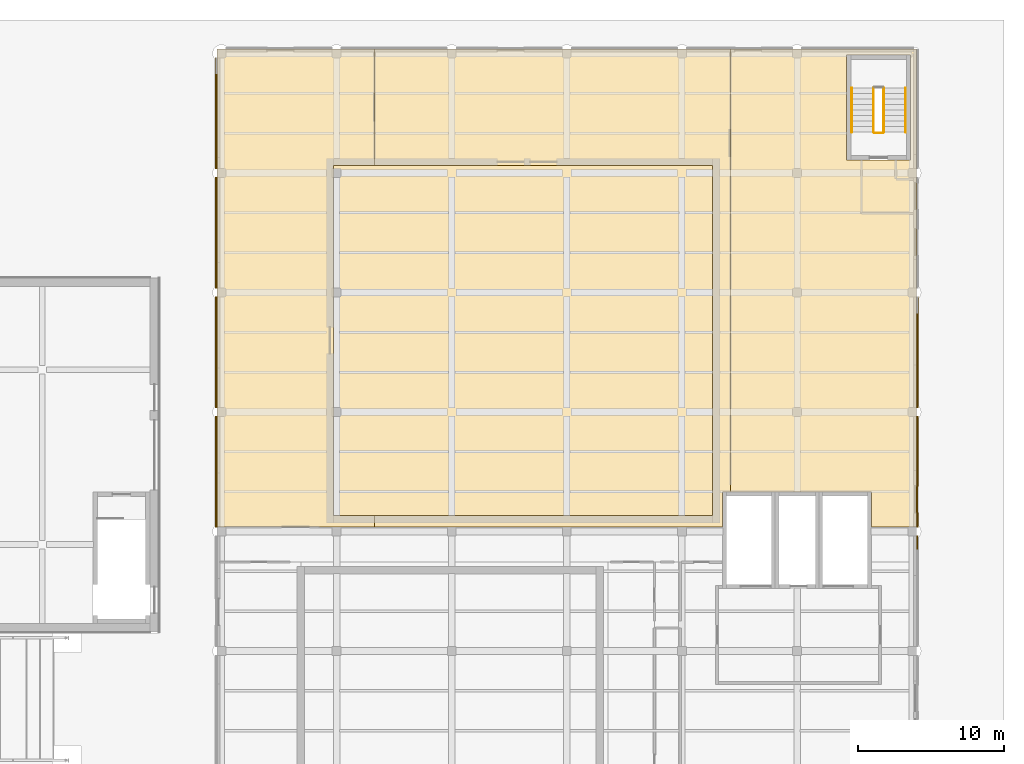
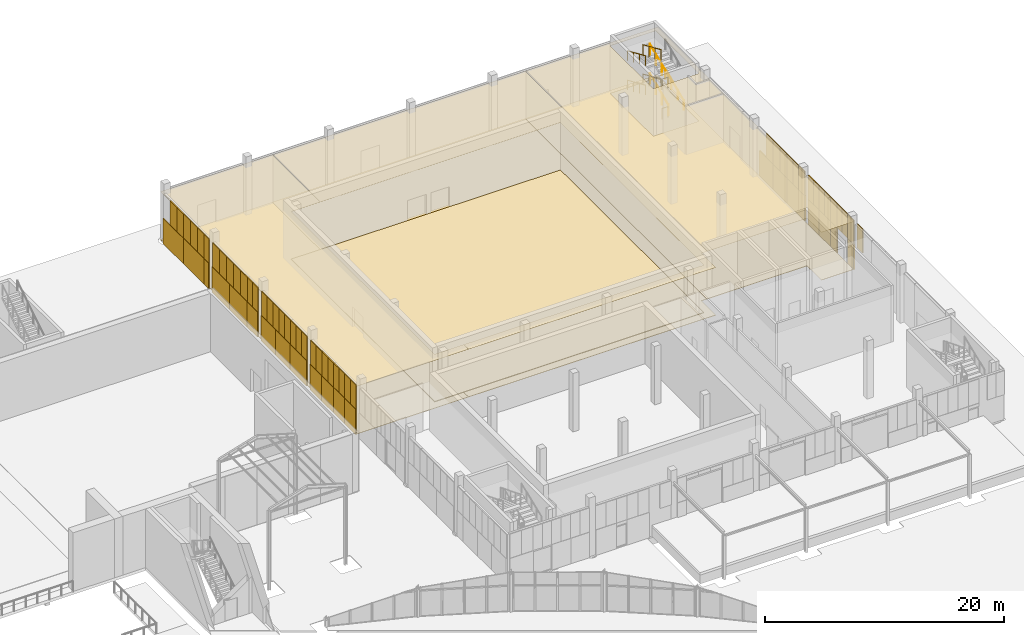
# One storey, part 150 of 155: 71 coverings, 9 railings.
"""IFC4 building model written with IfcOpenShell, lengths in metres."""

from ifc_helpers import new_model, si_unit, direction, frame, origin, origin_2d, place, context, subcontext, project, spatial, polyline, rectangle, circle, outline, extrude, material, layer, layer_set, type_object, element, save


model = new_model("IFC4")

# Units and contexts
model_context = context("Model", 3, precision=1e-05, world=origin(), true_north=direction((0.0, 1.0)))
body_context = subcontext(model_context, "Body", "Model", "MODEL_VIEW")
ifc_project = project(units=[si_unit("LENGTHUNIT", "METRE"), si_unit("AREAUNIT", "SQUARE_METRE"), si_unit("VOLUMEUNIT", "CUBIC_METRE"), si_unit("PLANEANGLEUNIT", "RADIAN"), si_unit("MASSUNIT", "GRAM", prefix="KILO")], contexts=[model_context])

# Site, building, storey
site_placement = place(None, origin())
site = spatial("IfcSite", under=ifc_project, at=site_placement, CompositionType="ELEMENT")
building_placement = place(site_placement, origin())
building = spatial("IfcBuilding", under=site, at=building_placement, Name="Lunette Opera House", CompositionType="ELEMENT")
storey_placement = place(building_placement, origin())
storey = spatial("IfcBuildingStorey", under=building, at=storey_placement, Name="L00", CompositionType="ELEMENT", Elevation=0.0)

# Coverings
ifc_material_1 = material(Name="Clinker brick", Category="masonry")
ifc_layer_1 = layer(ifc_material_1, 0.114990234375)
ifc_layer_set_1 = layer_set([ifc_layer_1], Name="Clinker brick")
covering_type_1 = type_object("IfcCoveringType", Name="CLINKER CLADDING 115", PredefinedType="CLADDING", material=ifc_layer_set_1)
for number, where, z_axis, x_axis, name in (
    (1, (135.94189453125, 133.694091796875, 0.0), (0.0, 0.0, 1.0), (0.0, -1.0, 0.0), "Clinker Cladding 115 WB L00"),
    (2, (135.94189453125, 130.281005859375, 0.0), (0.0, 0.0, 1.0), (0.0, -1.0, 0.0), "Clinker Cladding 115 WB L00"),
):
    element("IfcCovering", number, at=place(storey_placement, frame(where, z_axis=z_axis, x_axis=x_axis)), inside=storey, type_object=covering_type_1, Name=name, PredefinedType="CLADDING", context=body_context, shape_type="SweptSolid", body=[
        extrude(rectangle(XDim=3.4130859375, YDim=0.114990234375, at=origin_2d()), origin(), (0.0, 0.0, 1.0), 2.60009765625),
    ])
covering_1_placement = place(storey_placement, frame((135.94189453125, 128.18798828125, 0.0), z_axis=(0.0, 0.0, 1.0), x_axis=(0.0, -1.0, 0.0)))
element("IfcCovering", 3, at=covering_1_placement, inside=storey, type_object=covering_type_1, Name="Clinker Cladding 115 WB L00", PredefinedType="CLADDING", context=body_context, shape_type="SweptSolid", body=[
    extrude(rectangle(XDim=0.77490234375, YDim=0.114990234375, at=origin_2d()), origin(), (0.0, 0.0, 1.0), 2.60009765625),
])
for number, where, z_axis, x_axis, name in (
    (4, (135.94189453125, 125.737060546875, 0.0), (0.0, 0.0, 1.0), (0.0, -1.0, 0.0), "Clinker Cladding 115 WB L00"),
    (5, (135.94189453125, 122.81201171875, 0.0), (0.0, 0.0, 1.0), (0.0, -1.0, 0.0), "Clinker Cladding 115 WB L00"),
):
    element("IfcCovering", number, at=place(storey_placement, frame(where, z_axis=z_axis, x_axis=x_axis)), inside=storey, type_object=covering_type_1, Name=name, PredefinedType="CLADDING", context=body_context, shape_type="SweptSolid", body=[
        extrude(rectangle(XDim=2.925048828125, YDim=0.114990234375, at=origin_2d()), origin(), (0.0, 0.0, 1.0), 2.60009765625),
    ])
covering_2_placement = place(storey_placement, frame((135.94189453125, 120.47509765625, 0.0), z_axis=(0.0, 0.0, 1.0), x_axis=(0.0, -1.0, 0.0)))
element("IfcCovering", 6, at=covering_2_placement, inside=storey, type_object=covering_type_1, Name="Clinker Cladding 115 WB L00", PredefinedType="CLADDING", context=body_context, shape_type="SweptSolid", body=[
    extrude(rectangle(XDim=1.75, YDim=0.114990234375, at=origin_2d()), origin(), (0.0, 0.0, 1.0), 2.60009765625),
])
for number, where, z_axis, x_axis, name in (
    (7, (135.94189453125, 117.781005859375, 0.0), (0.0, 0.0, 1.0), (0.0, -1.0, 0.0), "Clinker Cladding 115 WB L00"),
    (8, (135.94189453125, 115.343994140625, 0.0), (0.0, 0.0, 1.0), (0.0, -1.0, 0.0), "Clinker Cladding 115 WB L00"),
):
    element("IfcCovering", number, at=place(storey_placement, frame(where, z_axis=z_axis, x_axis=x_axis)), inside=storey, type_object=covering_type_1, Name=name, PredefinedType="CLADDING", context=body_context, shape_type="SweptSolid", body=[
        extrude(rectangle(XDim=2.43798828125, YDim=0.114990234375, at=origin_2d()), origin(), (0.0, 0.0, 1.0), 2.60009765625),
    ])
covering_3_placement = place(storey_placement, frame((135.94189453125, 112.762939453125, 0.0), z_axis=(0.0, 0.0, 1.0), x_axis=(0.0, -1.0, 0.0)))
element("IfcCovering", 9, at=covering_3_placement, inside=storey, type_object=covering_type_1, Name="Clinker Cladding 115 WB L00", PredefinedType="CLADDING", context=body_context, shape_type="SweptSolid", body=[
    extrude(rectangle(XDim=2.72509765625, YDim=0.114990234375, at=origin_2d()), origin(), (0.0, 0.0, 1.0), 2.60009765625),
])
for number, where, z_axis, x_axis, name in (
    (10, (135.94189453125, 109.824951171875, 0.0), (0.0, 0.0, 1.0), (0.0, -1.0, 0.0), "Clinker Cladding 115 WB L00"),
    (11, (135.94189453125, 107.875, 0.0), (0.0, 0.0, 1.0), (0.0, -1.0, 0.0), "Clinker Cladding 115 WB L00"),
):
    element("IfcCovering", number, at=place(storey_placement, frame(where, z_axis=z_axis, x_axis=x_axis)), inside=storey, type_object=covering_type_1, Name=name, PredefinedType="CLADDING", context=body_context, shape_type="SweptSolid", body=[
        extrude(rectangle(XDim=1.949951171875, YDim=0.114990234375, at=origin_2d()), origin(), (0.0, 0.0, 1.0), 2.60009765625),
    ])
for number, where, z_axis, x_axis, name in (
    (12, (135.94189453125, 105.97509765625, 0.0), (0.0, 0.0, 1.0), (0.0, -1.0, 0.0), "Clinker Cladding 115 WB L00"),
    (13, (135.94189453125, 104.125, 0.0), (0.0, 0.0, 1.0), (0.0, -1.0, 0.0), "Clinker Cladding 115 WB L00"),
):
    element("IfcCovering", number, at=place(storey_placement, frame(where, z_axis=z_axis, x_axis=x_axis)), inside=storey, type_object=covering_type_1, Name=name, PredefinedType="CLADDING", context=body_context, shape_type="SweptSolid", body=[
        extrude(rectangle(XDim=1.85009765625, YDim=0.114990234375, at=origin_2d()), origin(), (0.0, 0.0, 1.0), 2.60009765625),
    ])
covering_4_placement = place(storey_placement, frame((184.05810546875, 103.699951171875, 0.0), z_axis=(0.0, 0.0, 1.0), x_axis=(0.0, 1.0, 0.0)))
element("IfcCovering", 14, at=covering_4_placement, inside=storey, type_object=covering_type_1, Name="Clinker Cladding 115 WB L00", PredefinedType="CLADDING", context=body_context, shape_type="SweptSolid", body=[
    extrude(rectangle(XDim=1.0, YDim=0.114990234375, at=origin_2d()), origin(), (0.0, 0.0, 1.0), 2.60009765625),
])
covering_5_placement = place(storey_placement, frame((184.05810546875, 106.550048828125, 0.0), z_axis=(0.0, 0.0, 1.0), x_axis=(0.0, 1.0, 0.0)))
element("IfcCovering", 15, at=covering_5_placement, inside=storey, type_object=covering_type_1, Name="Clinker Cladding 115 WB L00", PredefinedType="CLADDING", context=body_context, shape_type="SweptSolid", body=[
    extrude(rectangle(XDim=1.10009765625, YDim=0.114990234375, at=origin_2d()), origin(), (0.0, 0.0, 1.0), 2.60009765625),
])
for number, where, z_axis, x_axis, name in (
    (16, (184.05810546875, 108.02490234375, 0.0), (0.0, 0.0, 1.0), (0.0, 1.0, 0.0), "Clinker Cladding 115 WB L00"),
    (17, (184.05810546875, 109.875, 0.0), (0.0, 0.0, 1.0), (0.0, 1.0, 0.0), "Clinker Cladding 115 WB L00"),
):
    element("IfcCovering", number, at=place(storey_placement, frame(where, z_axis=z_axis, x_axis=x_axis)), inside=storey, type_object=covering_type_1, Name=name, PredefinedType="CLADDING", context=body_context, shape_type="SweptSolid", body=[
        extrude(rectangle(XDim=1.85009765625, YDim=0.114990234375, at=origin_2d()), origin(), (0.0, 0.0, 1.0), 2.60009765625),
    ])
covering_6_placement = place(storey_placement, frame((184.05810546875, 112.863037109375, 0.0), z_axis=(0.0, 0.0, 1.0), x_axis=(0.0, 1.0, 0.0)))
element("IfcCovering", 18, at=covering_6_placement, inside=storey, type_object=covering_type_1, Name="Clinker Cladding 115 WB L00", PredefinedType="CLADDING", context=body_context, shape_type="SweptSolid", body=[
    extrude(rectangle(XDim=2.925048828125, YDim=0.114990234375, at=origin_2d()), origin(), (0.0, 0.0, 1.0), 2.60009765625),
])
for number, where, z_axis, x_axis, name in (
    (19, (184.05810546875, 115.493896484375, 0.0), (0.0, 0.0, 1.0), (0.0, 1.0, 0.0), "Clinker Cladding 115 WB L00"),
    (20, (184.05810546875, 117.8310546875, 0.0), (0.0, 0.0, 1.0), (0.0, 1.0, 0.0), "Clinker Cladding 115 WB L00"),
):
    element("IfcCovering", number, at=place(storey_placement, frame(where, z_axis=z_axis, x_axis=x_axis)), inside=storey, type_object=covering_type_1, Name=name, PredefinedType="CLADDING", context=body_context, shape_type="SweptSolid", body=[
        extrude(rectangle(XDim=2.3369140625, YDim=0.114990234375, at=origin_2d()), origin(), (0.0, 0.0, 1.0), 2.60009765625),
    ])
ifc_material_2 = material(Name="Dark grey aluminium cassette", Category="aluminium")
ifc_layer_2 = layer(ifc_material_2, 0.080078125)
ifc_layer_set_2 = layer_set([ifc_layer_2], Name="Dark grey aluminium cassette")
covering_type_2 = type_object("IfcCoveringType", Name="DARK METAL CASSETTE 80", PredefinedType="CLADDING", material=ifc_layer_set_2)
for number, where, z_axis, x_axis, name in (
    (21, (135.9599609375, 133.694091796875, 2.60009765625), (0.0, 0.0, 1.0), (0.0, -1.0, 0.0), "Dark Metal Cassette 80 WK L00"),
    (22, (135.9599609375, 132.555908203125, 2.60009765625), (0.0, 0.0, 1.0), (0.0, -1.0, 0.0), "Dark Metal Cassette 80 WK L00"),
    (23, (135.9599609375, 131.4189453125, 2.60009765625), (0.0, 0.0, 1.0), (0.0, -1.0, 0.0), "Dark Metal Cassette 80 WK L00"),
    (24, (135.9599609375, 130.281005859375, 2.60009765625), (0.0, 0.0, 1.0), (0.0, -1.0, 0.0), "Dark Metal Cassette 80 WK L00"),
    (25, (135.9599609375, 129.14404296875, 2.60009765625), (0.0, 0.0, 1.0), (0.0, -1.0, 0.0), "Dark Metal Cassette 80 WK L00"),
):
    element("IfcCovering", number, at=place(storey_placement, frame(where, z_axis=z_axis, x_axis=x_axis)), inside=storey, type_object=covering_type_2, Name=name, PredefinedType="CLADDING", context=body_context, shape_type="SweptSolid", body=[
        extrude(rectangle(XDim=1.137939453125, YDim=0.080078125, at=origin_2d()), origin(), (0.0, 0.0, 1.0), 2.449951171875),
    ])
covering_7_placement = place(storey_placement, frame((135.9599609375, 128.18798828125, 2.60009765625), z_axis=(0.0, 0.0, 1.0), x_axis=(0.0, -1.0, 0.0)))
element("IfcCovering", 26, at=covering_7_placement, inside=storey, type_object=covering_type_2, Name="Dark Metal Cassette 80 WK L00", PredefinedType="CLADDING", context=body_context, shape_type="SweptSolid", body=[
    extrude(rectangle(XDim=0.77490234375, YDim=0.080078125, at=origin_2d()), origin(), (0.0, 0.0, 1.0), 2.449951171875),
])
for number, where, z_axis, x_axis, name in (
    (27, (135.9599609375, 126.614990234375, 2.60009765625), (0.0, 0.0, 1.0), (0.0, -1.0, 0.0), "Dark Metal Cassette 80 WK L00"),
    (28, (135.9599609375, 125.445068359375, 2.60009765625), (0.0, 0.0, 1.0), (0.0, -1.0, 0.0), "Dark Metal Cassette 80 WK L00"),
    (29, (135.9599609375, 124.27490234375, 2.60009765625), (0.0, 0.0, 1.0), (0.0, -1.0, 0.0), "Dark Metal Cassette 80 WK L00"),
    (30, (135.9599609375, 123.10498046875, 2.60009765625), (0.0, 0.0, 1.0), (0.0, -1.0, 0.0), "Dark Metal Cassette 80 WK L00"),
    (31, (135.9599609375, 121.93505859375, 2.60009765625), (0.0, 0.0, 1.0), (0.0, -1.0, 0.0), "Dark Metal Cassette 80 WK L00"),
):
    element("IfcCovering", number, at=place(storey_placement, frame(where, z_axis=z_axis, x_axis=x_axis)), inside=storey, type_object=covering_type_2, Name=name, PredefinedType="CLADDING", context=body_context, shape_type="SweptSolid", body=[
        extrude(rectangle(XDim=1.169921875, YDim=0.080078125, at=origin_2d()), origin(), (0.0, 0.0, 1.0), 2.449951171875),
    ])
for number, where, z_axis, x_axis, name in (
    (32, (135.9599609375, 120.912109375, 2.60009765625), (0.0, 0.0, 1.0), (0.0, -1.0, 0.0), "Dark Metal Cassette 80 WK L00"),
    (33, (135.9599609375, 120.037109375, 2.60009765625), (0.0, 0.0, 1.0), (0.0, -1.0, 0.0), "Dark Metal Cassette 80 WK L00"),
):
    element("IfcCovering", number, at=place(storey_placement, frame(where, z_axis=z_axis, x_axis=x_axis)), inside=storey, type_object=covering_type_2, Name=name, PredefinedType="CLADDING", context=body_context, shape_type="SweptSolid", body=[
        extrude(rectangle(XDim=0.875, YDim=0.080078125, at=origin_2d()), origin(), (0.0, 0.0, 1.0), 2.449951171875),
    ])
for number, where, z_axis, x_axis, name in (
    (34, (135.9599609375, 118.512939453125, 2.60009765625), (0.0, 0.0, 1.0), (0.0, -1.0, 0.0), "Dark Metal Cassette 80 WK L00"),
    (35, (135.9599609375, 117.537109375, 2.60009765625), (0.0, 0.0, 1.0), (0.0, -1.0, 0.0), "Dark Metal Cassette 80 WK L00"),
    (36, (135.9599609375, 116.56201171875, 2.60009765625), (0.0, 0.0, 1.0), (0.0, -1.0, 0.0), "Dark Metal Cassette 80 WK L00"),
    (37, (135.9599609375, 115.587890625, 2.60009765625), (0.0, 0.0, 1.0), (0.0, -1.0, 0.0), "Dark Metal Cassette 80 WK L00"),
    (38, (135.9599609375, 114.612060546875, 2.60009765625), (0.0, 0.0, 1.0), (0.0, -1.0, 0.0), "Dark Metal Cassette 80 WK L00"),
):
    element("IfcCovering", number, at=place(storey_placement, frame(where, z_axis=z_axis, x_axis=x_axis)), inside=storey, type_object=covering_type_2, Name=name, PredefinedType="CLADDING", context=body_context, shape_type="SweptSolid", body=[
        extrude(rectangle(XDim=0.97509765625, YDim=0.080078125, at=origin_2d()), origin(), (0.0, 0.0, 1.0), 2.449951171875),
    ])
for number, where, z_axis, x_axis, name in (
    (39, (135.9599609375, 113.6708984375, 2.60009765625), (0.0, 0.0, 1.0), (0.0, -1.0, 0.0), "Dark Metal Cassette 80 WK L00"),
    (40, (135.9599609375, 112.762939453125, 2.60009765625), (0.0, 0.0, 1.0), (0.0, -1.0, 0.0), "Dark Metal Cassette 80 WK L00"),
    (41, (135.9599609375, 111.85400390625, 2.60009765625), (0.0, 0.0, 1.0), (0.0, -1.0, 0.0), "Dark Metal Cassette 80 WK L00"),
):
    element("IfcCovering", number, at=place(storey_placement, frame(where, z_axis=z_axis, x_axis=x_axis)), inside=storey, type_object=covering_type_2, Name=name, PredefinedType="CLADDING", context=body_context, shape_type="SweptSolid", body=[
        extrude(rectangle(XDim=0.907958984375, YDim=0.080078125, at=origin_2d()), origin(), (0.0, 0.0, 1.0), 2.449951171875),
    ])
for number, where, z_axis, x_axis, name in (
    (42, (135.9599609375, 110.31201171875, 2.60009765625), (0.0, 0.0, 1.0), (0.0, -1.0, 0.0), "Dark Metal Cassette 80 WK L00"),
    (43, (135.9599609375, 109.337890625, 2.60009765625), (0.0, 0.0, 1.0), (0.0, -1.0, 0.0), "Dark Metal Cassette 80 WK L00"),
    (44, (135.9599609375, 108.362060546875, 2.60009765625), (0.0, 0.0, 1.0), (0.0, -1.0, 0.0), "Dark Metal Cassette 80 WK L00"),
    (45, (135.9599609375, 107.387939453125, 2.60009765625), (0.0, 0.0, 1.0), (0.0, -1.0, 0.0), "Dark Metal Cassette 80 WK L00"),
):
    element("IfcCovering", number, at=place(storey_placement, frame(where, z_axis=z_axis, x_axis=x_axis)), inside=storey, type_object=covering_type_2, Name=name, PredefinedType="CLADDING", context=body_context, shape_type="SweptSolid", body=[
        extrude(rectangle(XDim=0.97509765625, YDim=0.080078125, at=origin_2d()), origin(), (0.0, 0.0, 1.0), 2.449951171875),
    ])
for number, where, z_axis, x_axis, name in (
    (46, (135.9599609375, 106.43798828125, 2.60009765625), (0.0, 0.0, 1.0), (0.0, -1.0, 0.0), "Dark Metal Cassette 80 WK L00"),
    (47, (135.9599609375, 105.512939453125, 2.60009765625), (0.0, 0.0, 1.0), (0.0, -1.0, 0.0), "Dark Metal Cassette 80 WK L00"),
    (48, (135.9599609375, 104.587890625, 2.60009765625), (0.0, 0.0, 1.0), (0.0, -1.0, 0.0), "Dark Metal Cassette 80 WK L00"),
    (49, (135.9599609375, 103.6630859375, 2.60009765625), (0.0, 0.0, 1.0), (0.0, -1.0, 0.0), "Dark Metal Cassette 80 WK L00"),
):
    element("IfcCovering", number, at=place(storey_placement, frame(where, z_axis=z_axis, x_axis=x_axis)), inside=storey, type_object=covering_type_2, Name=name, PredefinedType="CLADDING", context=body_context, shape_type="SweptSolid", body=[
        extrude(rectangle(XDim=0.925048828125, YDim=0.080078125, at=origin_2d()), origin(), (0.0, 0.0, 1.0), 2.449951171875),
    ])
covering_8_placement = place(storey_placement, frame((184.0400390625, 102.14599609375, 2.60009765625), z_axis=(0.0, 0.0, 1.0), x_axis=(0.0, 1.0, 0.0)))
element("IfcCovering", 50, at=covering_8_placement, inside=storey, type_object=covering_type_2, Name="Dark Metal Cassette 80 WK L00", PredefinedType="CLADDING", context=body_context, shape_type="SweptSolid", body=[
    extrude(rectangle(XDim=0.907958984375, YDim=0.080078125, at=origin_2d()), origin(), (0.0, 0.0, 1.0), 2.449951171875),
])
covering_9_placement = place(storey_placement, frame((184.0400390625, 103.699951171875, 2.60009765625), z_axis=(0.0, 0.0, 1.0), x_axis=(0.0, 1.0, 0.0)))
element("IfcCovering", 51, at=covering_9_placement, inside=storey, type_object=covering_type_2, Name="Dark Metal Cassette 80 WK L00", PredefinedType="CLADDING", context=body_context, shape_type="SweptSolid", body=[
    extrude(rectangle(XDim=1.0, YDim=0.080078125, at=origin_2d()), origin(), (0.0, 0.0, 1.0), 2.449951171875),
])
for number, where, z_axis, x_axis, name in (
    (52, (184.0400390625, 104.64990234375, 2.60009765625), (0.0, 0.0, 1.0), (0.0, 1.0, 0.0), "Dark Metal Cassette 80 WK L00"),
    (53, (184.0400390625, 105.550048828125, 2.60009765625), (0.0, 0.0, 1.0), (0.0, 1.0, 0.0), "Dark Metal Cassette 80 WK L00"),
):
    element("IfcCovering", number, at=place(storey_placement, frame(where, z_axis=z_axis, x_axis=x_axis)), inside=storey, type_object=covering_type_2, Name=name, PredefinedType="CLADDING", context=body_context, shape_type="SweptSolid", body=[
        extrude(rectangle(XDim=0.89990234375, YDim=0.080078125, at=origin_2d()), origin(), (0.0, 0.0, 1.0), 2.449951171875),
    ])
covering_10_placement = place(storey_placement, frame((184.0400390625, 106.550048828125, 2.60009765625), z_axis=(0.0, 0.0, 1.0), x_axis=(0.0, 1.0, 0.0)))
element("IfcCovering", 54, at=covering_10_placement, inside=storey, type_object=covering_type_2, Name="Dark Metal Cassette 80 WK L00", PredefinedType="CLADDING", context=body_context, shape_type="SweptSolid", body=[
    extrude(rectangle(XDim=1.10009765625, YDim=0.080078125, at=origin_2d()), origin(), (0.0, 0.0, 1.0), 2.449951171875),
])
for number, where, z_axis, x_axis, name in (
    (55, (184.0400390625, 107.56201171875, 2.60009765625), (0.0, 0.0, 1.0), (0.0, 1.0, 0.0), "Dark Metal Cassette 80 WK L00"),
    (56, (184.0400390625, 108.487060546875, 2.60009765625), (0.0, 0.0, 1.0), (0.0, 1.0, 0.0), "Dark Metal Cassette 80 WK L00"),
    (57, (184.0400390625, 109.412109375, 2.60009765625), (0.0, 0.0, 1.0), (0.0, 1.0, 0.0), "Dark Metal Cassette 80 WK L00"),
    (58, (184.0400390625, 110.3369140625, 2.60009765625), (0.0, 0.0, 1.0), (0.0, 1.0, 0.0), "Dark Metal Cassette 80 WK L00"),
):
    element("IfcCovering", number, at=place(storey_placement, frame(where, z_axis=z_axis, x_axis=x_axis)), inside=storey, type_object=covering_type_2, Name=name, PredefinedType="CLADDING", context=body_context, shape_type="SweptSolid", body=[
        extrude(rectangle(XDim=0.925048828125, YDim=0.080078125, at=origin_2d()), origin(), (0.0, 0.0, 1.0), 2.449951171875),
    ])
for number, where, z_axis, x_axis, name in (
    (59, (184.0400390625, 111.887939453125, 2.60009765625), (0.0, 0.0, 1.0), (0.0, 1.0, 0.0), "Dark Metal Cassette 80 WK L00"),
    (60, (184.0400390625, 112.863037109375, 2.60009765625), (0.0, 0.0, 1.0), (0.0, 1.0, 0.0), "Dark Metal Cassette 80 WK L00"),
    (61, (184.0400390625, 113.837890625, 2.60009765625), (0.0, 0.0, 1.0), (0.0, 1.0, 0.0), "Dark Metal Cassette 80 WK L00"),
):
    element("IfcCovering", number, at=place(storey_placement, frame(where, z_axis=z_axis, x_axis=x_axis)), inside=storey, type_object=covering_type_2, Name=name, PredefinedType="CLADDING", context=body_context, shape_type="SweptSolid", body=[
        extrude(rectangle(XDim=0.97509765625, YDim=0.080078125, at=origin_2d()), origin(), (0.0, 0.0, 1.0), 2.449951171875),
    ])
for number, where, z_axis, x_axis, name in (
    (62, (184.0400390625, 114.908935546875, 2.60009765625), (0.0, 0.0, 1.0), (0.0, 1.0, 0.0), "Dark Metal Cassette 80 WK L00"),
    (63, (184.0400390625, 116.077880859375, 2.60009765625), (0.0, 0.0, 1.0), (0.0, 1.0, 0.0), "Dark Metal Cassette 80 WK L00"),
    (64, (184.0400390625, 117.2470703125, 2.60009765625), (0.0, 0.0, 1.0), (0.0, 1.0, 0.0), "Dark Metal Cassette 80 WK L00"),
):
    element("IfcCovering", number, at=place(storey_placement, frame(where, z_axis=z_axis, x_axis=x_axis)), inside=storey, type_object=covering_type_2, Name=name, PredefinedType="CLADDING", context=body_context, shape_type="SweptSolid", body=[
        extrude(rectangle(XDim=1.1689453125, YDim=0.080078125, at=origin_2d()), origin(), (0.0, 0.0, 1.0), 2.449951171875),
    ])

# Railings
ifc_material_3 = material(Name="Steel S355", Category="steel")
railing_type_1 = type_object("IfcRailingType", Name="STAIR GUARD 1100", PredefinedType="GUARDRAIL", material=ifc_material_3)
railing_1_placement = place(storey_placement, frame((181.75, 130.300048828125, 0.166748046875)))
element("IfcRailing", 65, at=railing_1_placement, inside=storey, type_object=railing_type_1, Name="L00 ST19 stair guard 1", PredefinedType="GUARDRAIL", context=body_context, shape_type="SweptSolid", body=[
    extrude(circle(Radius=0.02392578125, at=origin_2d()), frame((0.0, 0.0, 1.076171875), z_axis=(0.0, 0.915799124602, 0.401636606124), x_axis=(-1.0, 0.0, 0.0)), (0.0, 0.0, 1.0), 3.319580078125),
    extrude(circle(Radius=0.02099609375, at=origin_2d()), origin(), (0.0, 0.0, 1.0), 1.052001953125),
    extrude(circle(Radius=0.02099609375, at=origin_2d()), frame((0.0, 1.013427734375, 0.4443359375)), (0.0, 0.0, 1.0), 1.052001953125),
    extrude(circle(Radius=0.02099609375, at=origin_2d()), frame((0.0, 2.026611328125, 0.888916015625)), (0.0, 0.0, 1.0), 1.052001953125),
    extrude(circle(Radius=0.02099609375, at=origin_2d()), frame((0.0, 3.0400390625, 1.333251953125)), (0.0, 0.0, 1.0), 1.052001953125),
])
railing_2_placement = place(storey_placement, frame((181.050048828125, 133.340087890625, 1.666748046875)))
element("IfcRailing", 66, at=railing_2_placement, inside=storey, type_object=railing_type_1, Name="L00 ST19 stair guard 3", PredefinedType="GUARDRAIL", context=body_context, shape_type="SweptSolid", body=[
    extrude(circle(Radius=0.02392578125, at=origin_2d()), frame((0.0, 0.0, 1.076171875), z_axis=(0.0, -0.915799124602, 0.401636606124), x_axis=(1.0, 0.0, 0.0)), (0.0, 0.0, 1.0), 3.319580078125),
    extrude(circle(Radius=0.02099609375, at=origin_2d()), origin(), (0.0, 0.0, 1.0), 1.052001953125),
    extrude(circle(Radius=0.02099609375, at=origin_2d()), frame((0.0, -1.013427734375, 0.4443359375)), (0.0, 0.0, 1.0), 1.052001953125),
    extrude(circle(Radius=0.02099609375, at=origin_2d()), frame((0.0, -2.026611328125, 0.888916015625)), (0.0, 0.0, 1.0), 1.052001953125),
    extrude(circle(Radius=0.02099609375, at=origin_2d()), frame((0.0, -3.0400390625, 1.333251953125)), (0.0, 0.0, 1.0), 1.052001953125),
])
railing_3_placement = place(storey_placement, frame((181.699951171875, 130.25, 3.0)))
element("IfcRailing", 67, at=railing_3_placement, inside=storey, type_object=railing_type_1, Name="L00 ST19 stair guard 4", PredefinedType="GUARDRAIL", context=body_context, shape_type="SweptSolid", body=[
    extrude(circle(Radius=0.02392578125, at=origin_2d()), frame((0.0, 0.0, 1.076171875), z_axis=(-1.0, 0.0, 0.0), x_axis=(0.0, -1.0, 0.0)), (0.0, 0.0, 1.0), 0.599853515625),
    extrude(circle(Radius=0.02099609375, at=origin_2d()), origin(), (0.0, 0.0, 1.0), 1.052001953125),
    extrude(circle(Radius=0.02099609375, at=origin_2d()), frame((-0.599853515625, 0.0, 0.0)), (0.0, 0.0, 1.0), 1.052001953125),
])
railing_4_placement = place(storey_placement, frame((181.75, 130.300048828125, 3.166748046875)))
element("IfcRailing", 68, at=railing_4_placement, inside=storey, type_object=railing_type_1, Name="L00 ST19 stair guard 5", PredefinedType="GUARDRAIL", context=body_context, shape_type="SweptSolid", body=[
    extrude(circle(Radius=0.02392578125, at=origin_2d()), frame((0.0, 0.0, 1.076171875), z_axis=(0.0, 0.915799124602, 0.401636606124), x_axis=(-1.0, 0.0, 0.0)), (0.0, 0.0, 1.0), 3.319580078125),
    extrude(circle(Radius=0.02099609375, at=origin_2d()), origin(), (0.0, 0.0, 1.0), 1.052001953125),
    extrude(circle(Radius=0.02099609375, at=origin_2d()), frame((0.0, 1.013427734375, 0.4443359375)), (0.0, 0.0, 1.0), 1.052001953125),
    extrude(circle(Radius=0.02099609375, at=origin_2d()), frame((0.0, 2.026611328125, 0.888916015625)), (0.0, 0.0, 1.0), 1.052001953125),
    extrude(circle(Radius=0.02099609375, at=origin_2d()), frame((0.0, 3.0400390625, 1.333251953125)), (0.0, 0.0, 1.0), 1.052001953125),
])
railing_5_placement = place(storey_placement, frame((181.050048828125, 133.340087890625, 4.666748046875)))
element("IfcRailing", 69, at=railing_5_placement, inside=storey, type_object=railing_type_1, Name="L00 ST19 stair guard 7", PredefinedType="GUARDRAIL", context=body_context, shape_type="SweptSolid", body=[
    extrude(circle(Radius=0.02392578125, at=origin_2d()), frame((0.0, 0.0, 1.076171875), z_axis=(0.0, -0.915799124602, 0.401636606124), x_axis=(1.0, 0.0, 0.0)), (0.0, 0.0, 1.0), 3.319580078125),
    extrude(circle(Radius=0.02099609375, at=origin_2d()), origin(), (0.0, 0.0, 1.0), 1.052001953125),
    extrude(circle(Radius=0.02099609375, at=origin_2d()), frame((0.0, -1.013427734375, 0.4443359375)), (0.0, 0.0, 1.0), 1.052001953125),
    extrude(circle(Radius=0.02099609375, at=origin_2d()), frame((0.0, -2.026611328125, 0.888916015625)), (0.0, 0.0, 1.0), 1.052001953125),
    extrude(circle(Radius=0.02099609375, at=origin_2d()), frame((0.0, -3.0400390625, 1.333251953125)), (0.0, 0.0, 1.0), 1.052001953125),
])
railing_6_placement = place(storey_placement, frame((181.699951171875, 130.25, 0.0)))
element("IfcRailing", 70, at=railing_6_placement, inside=storey, type_object=railing_type_1, Name="L00 ST19 stair guard 8", PredefinedType="GUARDRAIL", context=body_context, shape_type="SweptSolid", body=[
    extrude(circle(Radius=0.02392578125, at=origin_2d()), frame((0.0, 0.0, 1.076171875), z_axis=(-1.0, 0.0, 0.0), x_axis=(0.0, -1.0, 0.0)), (0.0, 0.0, 1.0), 0.599853515625),
    extrude(circle(Radius=0.02099609375, at=origin_2d()), origin(), (0.0, 0.0, 1.0), 1.052001953125),
    extrude(circle(Radius=0.02099609375, at=origin_2d()), frame((-0.599853515625, 0.0, 0.0)), (0.0, 0.0, 1.0), 1.052001953125),
])
ifc_material_4 = material(Name="Steel S355", Category="steel")
railing_type_2 = type_object("IfcRailingType", Name="STAIR HANDRAIL 1000", PredefinedType="HANDRAIL", material=ifc_material_4)
railing_7_placement = place(storey_placement, frame((183.25, 130.300048828125, 0.166748046875)))
element("IfcRailing", 71, at=railing_7_placement, inside=storey, type_object=railing_type_2, Name="L00 ST19 stair handrail 1", PredefinedType="HANDRAIL", context=body_context, shape_type="SweptSolid", body=[
    extrude(circle(Radius=0.02392578125, at=origin_2d()), frame((0.0, 0.0, 0.97607421875), z_axis=(0.0, 0.915799124602, 0.401636606124), x_axis=(-1.0, 0.0, 0.0)), (0.0, 0.0, 1.0), 3.319580078125),
    extrude(circle(Radius=0.02099609375, at=origin_2d()), origin(), (0.0, 0.0, 1.0), 0.951904296875),
    extrude(circle(Radius=0.02099609375, at=origin_2d()), frame((0.0, 1.013427734375, 0.4443359375)), (0.0, 0.0, 1.0), 0.951904296875),
    extrude(circle(Radius=0.02099609375, at=origin_2d()), frame((0.0, 2.026611328125, 0.888916015625)), (0.0, 0.0, 1.0), 0.951904296875),
    extrude(circle(Radius=0.02099609375, at=origin_2d()), frame((0.0, 3.0400390625, 1.333251953125)), (0.0, 0.0, 1.0), 0.951904296875),
])
for number, where, name in (
    (72, (179.550048828125, 133.340087890625, 1.666748046875), "L00 ST19 stair handrail 2"),
    (73, (179.550048828125, 133.340087890625, 4.666748046875), "L00 ST19 stair handrail 4"),
):
    element("IfcRailing", number, at=place(storey_placement, frame(where)), inside=storey, type_object=railing_type_2, Name=name, PredefinedType="HANDRAIL", context=body_context, shape_type="SweptSolid", body=[
        extrude(circle(Radius=0.02392578125, at=origin_2d()), frame((0.0, 0.0, 0.97607421875), z_axis=(0.0, -0.915799124602, 0.401636606124), x_axis=(1.0, 0.0, 0.0)), (0.0, 0.0, 1.0), 3.319580078125),
        extrude(circle(Radius=0.02099609375, at=origin_2d()), origin(), (0.0, 0.0, 1.0), 0.951904296875),
        extrude(circle(Radius=0.02099609375, at=origin_2d()), frame((0.0, -1.013427734375, 0.4443359375)), (0.0, 0.0, 1.0), 0.951904296875),
        extrude(circle(Radius=0.02099609375, at=origin_2d()), frame((0.0, -2.026611328125, 0.888916015625)), (0.0, 0.0, 1.0), 0.951904296875),
        extrude(circle(Radius=0.02099609375, at=origin_2d()), frame((0.0, -3.0400390625, 1.333251953125)), (0.0, 0.0, 1.0), 0.951904296875),
    ])

# Coverings
ifc_material_5 = material(Name="Mineral fibre board")
ifc_layer_3 = layer(ifc_material_5, 0.014892578125)
ifc_layer_set_3 = layer_set([ifc_layer_3], Name="Mineral fibre board")
covering_type_3 = type_object("IfcCoveringType", Name="SUSPENDED ACOUSTIC CEILING 15", PredefinedType="CEILING", material=ifc_layer_set_3)
covering_11_placement = place(storey_placement, frame((0.0, 0.0, 4.885009765625)))
element("IfcCovering", 74, at=covering_11_placement, inside=storey, type_object=covering_type_3, Name="Ceiling Scenery Workshop Metal", PredefinedType="CEILING", context=body_context, shape_type="SweptSolid", body=[
    extrude(outline(polyline([(136.0, 103.199951171875), (136.0, 136.0), (146.800048828125, 136.0), (146.800048828125, 128.0), (144.0, 128.0), (144.0, 104.0), (146.800048828125, 104.0), (146.800048828125, 103.199951171875), (136.0, 103.199951171875)])), origin(), (0.0, 0.0, 1.0), 0.014892578125),
])
covering_12_placement = place(storey_placement, frame((0.0, 0.0, 4.885009765625)))
element("IfcCovering", 75, at=covering_12_placement, inside=storey, type_object=covering_type_3, Name="Ceiling Costume Workshop Tailoring", PredefinedType="CEILING", context=body_context, shape_type="SweptSolid", body=[
    extrude(outline(polyline([(170.699951171875, 105.60009765625), (170.699951171875, 103.199951171875), (146.800048828125, 103.199951171875), (146.800048828125, 104.0), (170.0, 104.0), (170.0, 128.0), (146.800048828125, 128.0), (146.800048828125, 136.0), (171.218994140625, 136.0), (171.218994140625, 105.60009765625), (170.699951171875, 105.60009765625)])), origin(), (0.0, 0.0, 1.0), 0.014892578125),
])
covering_13_placement = place(storey_placement, frame((0.0, 0.0, 4.885009765625)))
element("IfcCovering", 76, at=covering_13_placement, inside=storey, type_object=covering_type_3, Name="Ceiling Scene Dock", PredefinedType="CEILING", context=body_context, shape_type="SweptSolid", body=[
    extrude(outline(polyline([(180.89990234375, 103.199951171875), (180.89990234375, 105.60009765625), (177.300048828125, 105.60009765625), (174.300048828125, 105.60009765625), (171.218994140625, 105.60009765625), (171.218994140625, 136.0), (184.0, 136.0), (184.0, 103.199951171875), (180.89990234375, 103.199951171875)]), holes=[polyline([(183.60009765625, 135.60009765625), (179.199951171875, 135.60009765625), (179.199951171875, 128.39990234375), (183.60009765625, 128.39990234375), (183.60009765625, 135.60009765625)])]), origin(), (0.0, 0.0, 1.0), 0.014892578125),
])
ifc_material_6 = material(Name="Terrazzo")
ifc_layer_4 = layer(ifc_material_6, 0.06005859375)
ifc_layer_set_4 = layer_set([ifc_layer_4], Name="Terrazzo")
covering_type_4 = type_object("IfcCoveringType", Name="TERRAZZO FLOOR FINISH 60", PredefinedType="FLOORING", material=ifc_layer_set_4)
covering_14_placement = place(storey_placement, origin())
element("IfcCovering", 77, at=covering_14_placement, inside=storey, type_object=covering_type_4, Name="Floor finish Paint Hall", PredefinedType="FLOORING", context=body_context, shape_type="SweptSolid", body=[
    extrude(outline(polyline([(170.0, 104.0), (170.0, 128.0), (144.0, 128.0), (144.0, 104.0), (170.0, 104.0)])), origin(), (0.0, 0.0, 1.0), 0.06005859375),
])
ifc_material_7 = material(Name="Timber", Category="wood")
ifc_layer_5 = layer(ifc_material_7, 0.0400390625)
ifc_layer_set_5 = layer_set([ifc_layer_5], Name="Timber")
covering_type_5 = type_object("IfcCoveringType", Name="TIMBER FLOOR FINISH 40", PredefinedType="FLOORING", material=ifc_layer_set_5)
covering_15_placement = place(storey_placement, origin())
element("IfcCovering", 78, at=covering_15_placement, inside=storey, type_object=covering_type_5, Name="Floor finish Scenery Workshop Metal", PredefinedType="FLOORING", context=body_context, shape_type="SweptSolid", body=[
    extrude(outline(polyline([(136.0, 103.199951171875), (136.0, 136.0), (146.800048828125, 136.0), (146.800048828125, 128.0), (144.0, 128.0), (144.0, 104.0), (146.800048828125, 104.0), (146.800048828125, 103.199951171875), (136.0, 103.199951171875)])), origin(), (0.0, 0.0, 1.0), 0.0400390625),
])
covering_16_placement = place(storey_placement, origin())
element("IfcCovering", 79, at=covering_16_placement, inside=storey, type_object=covering_type_5, Name="Floor finish Costume Workshop Tailoring", PredefinedType="FLOORING", context=body_context, shape_type="SweptSolid", body=[
    extrude(outline(polyline([(170.699951171875, 105.60009765625), (170.699951171875, 103.199951171875), (146.800048828125, 103.199951171875), (146.800048828125, 104.0), (170.0, 104.0), (170.0, 128.0), (146.800048828125, 128.0), (146.800048828125, 136.0), (171.218994140625, 136.0), (171.218994140625, 105.60009765625), (170.699951171875, 105.60009765625)])), origin(), (0.0, 0.0, 1.0), 0.0400390625),
])
covering_17_placement = place(storey_placement, origin())
element("IfcCovering", 80, at=covering_17_placement, inside=storey, type_object=covering_type_5, Name="Floor finish Scene Dock", PredefinedType="FLOORING", context=body_context, shape_type="SweptSolid", body=[
    extrude(outline(polyline([(180.89990234375, 103.199951171875), (180.89990234375, 105.60009765625), (177.300048828125, 105.60009765625), (174.300048828125, 105.60009765625), (171.218994140625, 105.60009765625), (171.218994140625, 136.0), (184.0, 136.0), (184.0, 103.199951171875), (180.89990234375, 103.199951171875)]), holes=[polyline([(183.60009765625, 135.60009765625), (179.199951171875, 135.60009765625), (179.199951171875, 128.39990234375), (183.60009765625, 128.39990234375), (183.60009765625, 135.60009765625)])]), origin(), (0.0, 0.0, 1.0), 0.0400390625),
])

save(model, "model.ifc")
